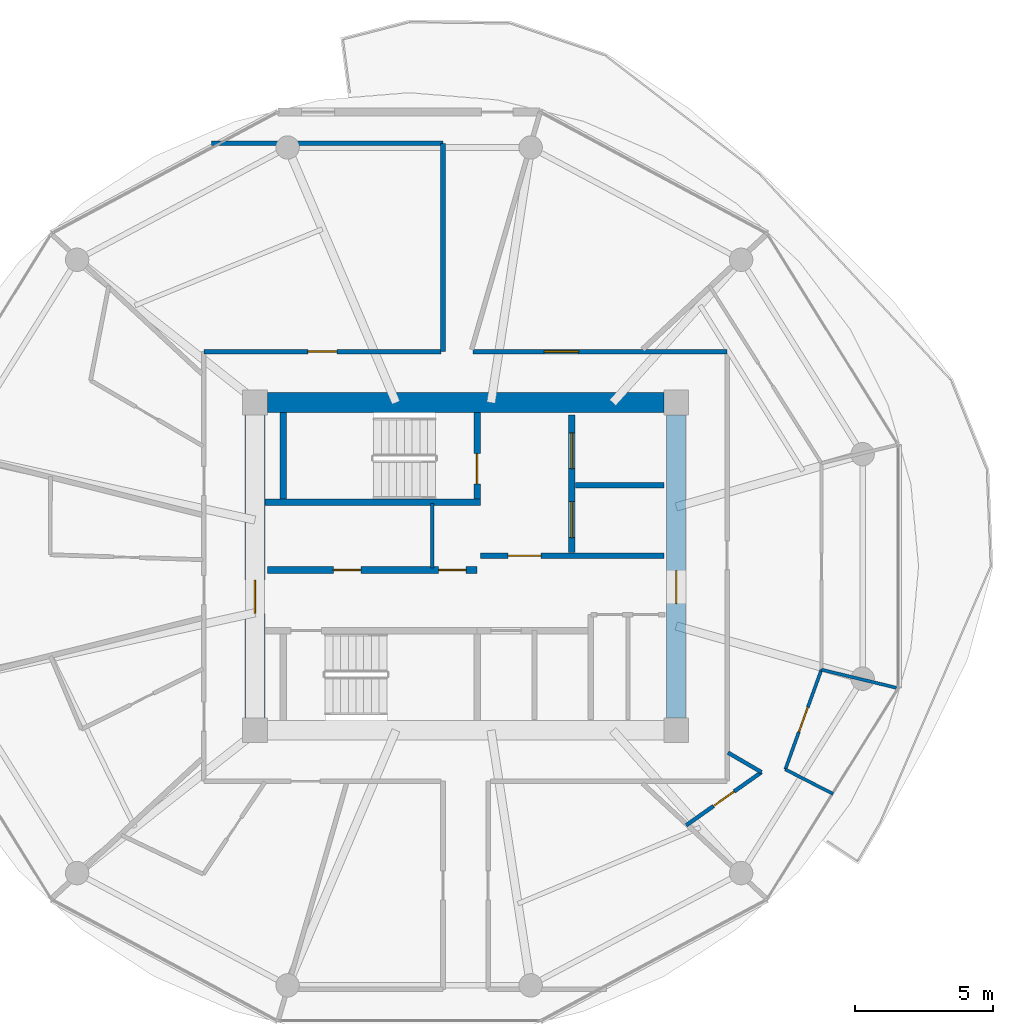
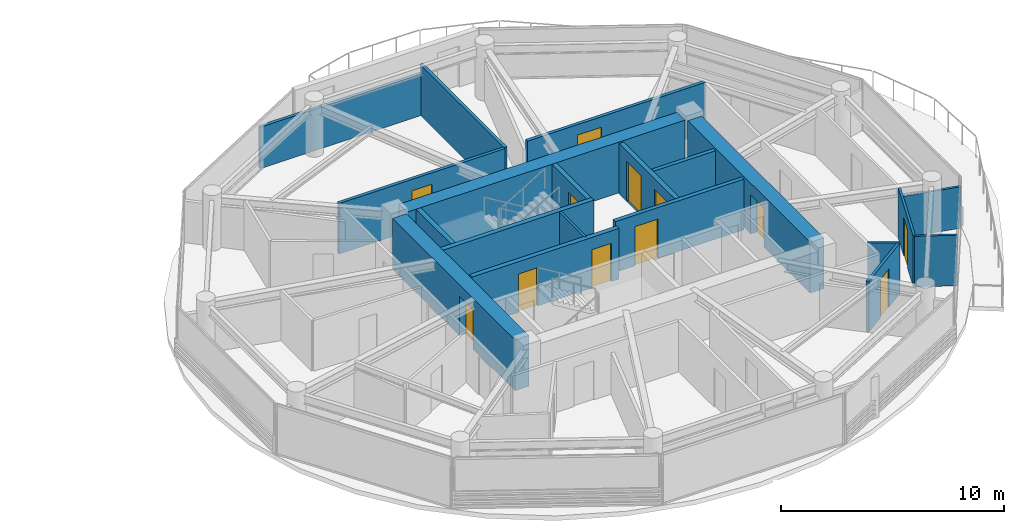
# One storey, part 17 of 24: 20 walls, 12 doors, 12 openings.
"""IFC4 building model written with IfcOpenShell, lengths in metres."""

from ifc_helpers import new_model, si_unit, direction, frame, frame_2d, origin, place, context, subcontext, project, spatial, rectangle, extrude, source, transform, mapped, material, layer, layer_set, type_object, type_shapes, element, fill, save


model = new_model("IFC4")

# Units and contexts
model_context = context("Model", 3, precision=1e-05, world=origin(), true_north=direction((0.0, 1.0)))
body_context = subcontext(model_context, "Body", "Model", "MODEL_VIEW")
ifc_project = project(units=[si_unit("LENGTHUNIT", "METRE"), si_unit("AREAUNIT", "SQUARE_METRE"), si_unit("VOLUMEUNIT", "CUBIC_METRE"), si_unit("PLANEANGLEUNIT", "RADIAN"), si_unit("MASSUNIT", "GRAM", prefix="KILO")], contexts=[model_context])

# Site, building, storey
site_placement = place(None, origin())
site = spatial("IfcSite", under=ifc_project, at=site_placement, CompositionType="ELEMENT")
building_placement = place(site_placement, origin())
building = spatial("IfcBuilding", under=site, at=building_placement, Name="Norrkilde Senior Care Towers", CompositionType="ELEMENT")
storey_placement = place(building_placement, frame((0.0, 0.0, 108.449951171875)))
storey = spatial("IfcBuildingStorey", under=building, at=storey_placement, Name="L33", CompositionType="ELEMENT", Elevation=108.449951171875)

# Wall
ifc_material_1 = material(Name="Concrete C60/75", Category="concrete")
ifc_layer_1 = layer(ifc_material_1, 0.719970703125)
ifc_layer_set_1 = layer_set([ifc_layer_1], Name="Concrete C60/75")
wall_type_1 = type_object("IfcWallType", Name="Core Shear Wall Z2 720", PredefinedType="SHEAR", material=ifc_layer_set_1)
shared_shape_1 = source(origin(), body_context, "Body", "SweptSolid", [
    extrude(rectangle(XDim=14.39990234375, YDim=0.719970703125, at=frame_2d((7.199951171875, 0.0))), origin(), (0.0, 0.0, 1.0), 2.7900390625),
])
wall_1_placement = place(storey_placement, frame((20.800048828125, 5.949951171875, 0.0), z_axis=(0.0, 0.0, 1.0), x_axis=(1.0, 0.0, 0.0)))
element("IfcWall", 1, at=wall_1_placement, inside=storey, type_object=wall_type_1, Name="L33 Core E North Shear Wall", PredefinedType="SHEAR", context=body_context, shape_type="MappedRepresentation", body=[
    mapped(shared_shape_1, transform((0.0, 0.0, 0.0), x_axis=(1.0, 0.0, 0.0), y_axis=(0.0, 1.0, 0.0), z_axis=(0.0, 0.0, 1.0), scale=1.0)),
])

# Wall, opening, door
shared_shape_2 = source(origin(), body_context, "Body", "SweptSolid", [
    extrude(rectangle(XDim=11.0, YDim=0.719970703125, at=frame_2d((5.5, 0.0))), origin(), (0.0, 0.0, 1.0), 2.7900390625),
])
type_shapes(wall_type_1, [shared_shape_1, shared_shape_2])
wall_2_placement = place(storey_placement, frame((20.35009765625, -5.5, 0.0), z_axis=(0.0, 0.0, 1.0), x_axis=(0.0, 1.0, 0.0)))
wall_2 = element("IfcWall", 2, at=wall_2_placement, inside=storey, type_object=wall_type_1, Name="L33 Core E West Shear Wall", PredefinedType="SHEAR", context=body_context, shape_type="MappedRepresentation", body=[
    mapped(shared_shape_2, transform((0.0, 0.0, 0.0), x_axis=(1.0, 0.0, 0.0), y_axis=(0.0, 1.0, 0.0), z_axis=(0.0, 0.0, 1.0), scale=1.0)),
])
opening_1_placement = place(wall_2_placement, frame((3.800048828125, 0.0, 0.0)))
opening_1 = element("IfcOpeningElement", 3, at=opening_1_placement, cuts=wall_2, Name="Opening D-04", PredefinedType="OPENING", context=body_context, shape_type="SweptSolid", body=[
    extrude(rectangle(XDim=1.199951171875, YDim=2.14990234375, at=frame_2d((0.60009765625, 1.074951171875))), frame((0.0, 0.369873046875, 0.0), z_axis=(0.0, -1.0, 0.0), x_axis=(1.0, 0.0, 0.0)), (0.0, 0.0, 1.0), 0.739990234375),
])
ifc_material_2 = material(Name="Galvanised Painted Steel", Category="steel")
door_type_1 = type_object("IfcDoorType", Name="Firefighting Lobby Fire Door 1200x2150", OperationType="NOTDEFINED", PredefinedType="DOOR", material=ifc_material_2)
shared_shape_3 = source(origin(), body_context, "Body", "SweptSolid", [
    extrude(rectangle(XDim=1.199951171875, YDim=2.14990234375, at=frame_2d((0.60009765625, 1.074951171875))), frame((0.0, 0.02490234375, 0.0), z_axis=(0.0, -1.0, 0.0), x_axis=(1.0, 0.0, 0.0)), (0.0, 0.0, 1.0), 0.050048828125),
])
type_shapes(door_type_1, [shared_shape_3])
door_1_placement = place(opening_1_placement, frame((1.199951171875, 0.0, 0.0), z_axis=(0.0, 0.0, 1.0), x_axis=(-1.0, 0.0, 0.0)))
door_1 = element("IfcDoor", 4, at=door_1_placement, inside=storey, type_object=door_type_1, Name="L33 Core E West Portal Door", OperationType="SINGLE_SWING_LEFT", OverallHeight=2.14990234375, OverallWidth=1.199951171875, PredefinedType="DOOR", context=body_context, shape_type="MappedRepresentation", body=[
    mapped(shared_shape_3, transform((0.0, 0.0, 0.0), x_axis=(1.0, 0.0, 0.0), y_axis=(0.0, 1.0, 0.0), z_axis=(0.0, 0.0, 1.0), scale=1.0)),
])
fill(opening_1, door_1)

wall_3_placement = place(storey_placement, frame((35.64990234375, 5.5, 0.0), z_axis=(0.0, 0.0, 1.0), x_axis=(0.0, -1.0, 0.0)))
wall_3 = element("IfcWall", 5, at=wall_3_placement, inside=storey, type_object=wall_type_1, Name="L33 Core E East Shear Wall", PredefinedType="SHEAR", context=body_context, shape_type="MappedRepresentation", body=[
    mapped(shared_shape_2, transform((0.0, 0.0, 0.0), x_axis=(1.0, 0.0, 0.0), y_axis=(0.0, 1.0, 0.0), z_axis=(0.0, 0.0, 1.0), scale=1.0)),
])
opening_2_placement = place(wall_3_placement, frame((5.64990234375, 0.0, 0.0)))
opening_2 = element("IfcOpeningElement", 6, at=opening_2_placement, cuts=wall_3, Name="Opening D-04", PredefinedType="OPENING", context=body_context, shape_type="SweptSolid", body=[
    extrude(rectangle(XDim=1.199951171875, YDim=2.14990234375, at=frame_2d((0.60009765625, 1.074951171875))), frame((0.0, 0.369873046875, 0.0), z_axis=(0.0, -1.0, 0.0), x_axis=(1.0, 0.0, 0.0)), (0.0, 0.0, 1.0), 0.739990234375),
])
door_2_placement = place(opening_2_placement, frame((1.199951171875, 0.0, 0.0), z_axis=(0.0, 0.0, 1.0), x_axis=(-1.0, 0.0, 0.0)))
door_2 = element("IfcDoor", 7, at=door_2_placement, inside=storey, type_object=door_type_1, Name="L33 Core E East Portal Door", OperationType="SINGLE_SWING_RIGHT", OverallHeight=2.14990234375, OverallWidth=1.199951171875, PredefinedType="DOOR", context=body_context, shape_type="MappedRepresentation", body=[
    mapped(shared_shape_3, transform((0.0, 0.0, 0.0), x_axis=(1.0, 0.0, 0.0), y_axis=(0.0, 1.0, 0.0), z_axis=(0.0, 0.0, 1.0), scale=1.0)),
])
fill(opening_2, door_2)

# Wall, openings, doors
ifc_material_3 = material(Name="Concrete C45/55", Category="concrete")
ifc_layer_2 = layer(ifc_material_3, 0.239990234375)
ifc_layer_set_2 = layer_set([ifc_layer_2], Name="Concrete C45/55")
wall_type_2 = type_object("IfcWallType", Name="Lift and Plant Rated Enclosure Partition 240", PredefinedType="PARTITIONING", material=ifc_layer_set_2)
shared_shape_4 = source(origin(), body_context, "Body", "SweptSolid", [
    extrude(rectangle(XDim=5.0, YDim=0.239990234375, at=frame_2d((2.5, 0.0))), origin(), (0.0, 0.0, 1.0), 2.775146484375),
])
wall_4_placement = place(storey_placement, frame((31.860107421875, 0.5, 0.0), z_axis=(0.0, 0.0, 1.0), x_axis=(0.0, 1.0, 0.0)))
wall_4 = element("IfcWall", 8, at=wall_4_placement, inside=storey, type_object=wall_type_2, Name="WL-INT-L33-E-FFLE", PredefinedType="PARTITIONING", context=body_context, shape_type="MappedRepresentation", body=[
    mapped(shared_shape_4, transform((0.0, 0.0, 0.0), x_axis=(1.0, 0.0, 0.0), y_axis=(0.0, 1.0, 0.0), z_axis=(0.0, 0.0, 1.0), scale=1.0)),
])
opening_3_placement = place(wall_4_placement, frame((3.050048828125, 0.0, 0.0)))
opening_3 = element("IfcOpeningElement", 9, at=opening_3_placement, cuts=wall_4, Name="Opening LD-02", PredefinedType="OPENING", context=body_context, shape_type="SweptSolid", body=[
    extrude(rectangle(XDim=1.300048828125, YDim=2.199951171875, at=frame_2d((0.64990234375, 1.10009765625))), frame((0.0, 0.1298828125, 0.0), z_axis=(0.0, -1.0, 0.0), x_axis=(1.0, 0.0, 0.0)), (0.0, 0.0, 1.0), 0.260009765625),
])
opening_4_placement = place(wall_4_placement, frame((0.550048828125, 0.0, 0.0)))
opening_4 = element("IfcOpeningElement", 10, at=opening_4_placement, cuts=wall_4, Name="Opening LD-02", PredefinedType="OPENING", context=body_context, shape_type="SweptSolid", body=[
    extrude(rectangle(XDim=1.300048828125, YDim=2.199951171875, at=frame_2d((0.64990234375, 1.10009765625))), frame((0.0, 0.1298828125, 0.0), z_axis=(0.0, -1.0, 0.0), x_axis=(1.0, 0.0, 0.0)), (0.0, 0.0, 1.0), 0.260009765625),
])
ifc_material_4 = material(Name="Stainless Steel", Category="steel")
door_type_2 = type_object("IfcDoorType", Name="Stretcher and FFL Landing Sliding Door 1300x2200", OperationType="NOTDEFINED", PredefinedType="DOOR", material=ifc_material_4)
shared_shape_5 = source(origin(), body_context, "Body", "SweptSolid", [
    extrude(rectangle(XDim=1.300048828125, YDim=2.199951171875, at=frame_2d((0.64990234375, 1.10009765625))), frame((0.0, 0.02490234375, 0.0), z_axis=(0.0, -1.0, 0.0), x_axis=(1.0, 0.0, 0.0)), (0.0, 0.0, 1.0), 0.050048828125),
])
type_shapes(door_type_2, [shared_shape_5])
door_3_placement = place(opening_3_placement, origin())
door_3 = element("IfcDoor", 11, at=door_3_placement, inside=storey, type_object=door_type_2, Name="L33 Firefighting Lift E1 Landing Door", OperationType="SLIDING_TO_LEFT", OverallHeight=2.199951171875, OverallWidth=1.300048828125, PredefinedType="DOOR", context=body_context, shape_type="MappedRepresentation", body=[
    mapped(shared_shape_5, transform((0.0, 0.0, 0.0), x_axis=(1.0, 0.0, 0.0), y_axis=(0.0, 1.0, 0.0), z_axis=(0.0, 0.0, 1.0), scale=1.0)),
])
fill(opening_3, door_3)
door_4_placement = place(opening_4_placement, origin())
door_4 = element("IfcDoor", 12, at=door_4_placement, inside=storey, type_object=door_type_2, Name="L33 Stretcher Lift E1 Landing Door", OperationType="SLIDING_TO_RIGHT", OverallHeight=2.199951171875, OverallWidth=1.300048828125, PredefinedType="DOOR", context=body_context, shape_type="MappedRepresentation", body=[
    mapped(shared_shape_5, transform((0.0, 0.0, 0.0), x_axis=(1.0, 0.0, 0.0), y_axis=(0.0, 1.0, 0.0), z_axis=(0.0, 0.0, 1.0), scale=1.0)),
])
fill(opening_4, door_4)

# Wall
ifc_layer_3 = layer(ifc_material_3, 0.199951171875)
ifc_layer_set_3 = layer_set([ifc_layer_3], Name="Concrete C45/55")
wall_type_3 = type_object("IfcWallType", Name="Shaft Division and Plant Partition 200", PredefinedType="PARTITIONING", material=ifc_layer_set_3)
shared_shape_6 = source(origin(), body_context, "Body", "SweptSolid", [
    extrude(rectangle(XDim=3.199951171875, YDim=0.199951171875, at=frame_2d((1.60009765625, 0.0))), origin(), (0.0, 0.0, 1.0), 2.775146484375),
])
type_shapes(wall_type_3, [shared_shape_6])
wall_5_placement = place(storey_placement, frame((32.0, 2.949951171875, 0.0), z_axis=(0.0, 0.0, 1.0), x_axis=(1.0, 0.0, 0.0)))
element("IfcWall", 13, at=wall_5_placement, inside=storey, type_object=wall_type_3, Name="WL-INT-L33-E-FFLDIV", PredefinedType="PARTITIONING", context=body_context, shape_type="MappedRepresentation", body=[
    mapped(shared_shape_6, transform((0.0, 0.0, 0.0), x_axis=(1.0, 0.0, 0.0), y_axis=(0.0, 1.0, 0.0), z_axis=(0.0, 0.0, 1.0), scale=1.0)),
])

# Wall, opening, door
ifc_layer_4 = layer(ifc_material_3, 0.2099609375)
ifc_layer_set_4 = layer_set([ifc_layer_4], Name="Concrete C45/55")
wall_type_4 = type_object("IfcWallType", Name="Firefighting Lobby Wall 210", PredefinedType="PARTITIONING", material=ifc_layer_set_4)
shared_shape_7 = source(origin(), body_context, "Body", "SweptSolid", [
    extrude(rectangle(XDim=6.659912109375, YDim=0.2099609375, at=frame_2d((3.330078125, 0.0))), origin(), (0.0, 0.0, 1.0), 2.775146484375),
])
type_shapes(wall_type_4, [shared_shape_7])
wall_6_placement = place(storey_placement, frame((28.5400390625, 0.389892578125, 0.0), z_axis=(0.0, 0.0, 1.0), x_axis=(1.0, 0.0, 0.0)))
wall_6 = element("IfcWall", 14, at=wall_6_placement, inside=storey, type_object=wall_type_4, Name="WL-INT-L33-E-FFLS", PredefinedType="PARTITIONING", context=body_context, shape_type="MappedRepresentation", body=[
    mapped(shared_shape_7, transform((0.0, 0.0, 0.0), x_axis=(1.0, 0.0, 0.0), y_axis=(0.0, 1.0, 0.0), z_axis=(0.0, 0.0, 1.0), scale=1.0)),
])
opening_5_placement = place(wall_6_placement, frame((1.0, 0.0, 0.0)))
opening_5 = element("IfcOpeningElement", 15, at=opening_5_placement, cuts=wall_6, Name="Opening D-04", PredefinedType="OPENING", context=body_context, shape_type="SweptSolid", body=[
    extrude(rectangle(XDim=1.199951171875, YDim=2.14990234375, at=frame_2d((0.60009765625, 1.074951171875))), frame((0.0, 0.114990234375, 0.0), z_axis=(0.0, -1.0, 0.0), x_axis=(1.0, 0.0, 0.0)), (0.0, 0.0, 1.0), 0.22998046875),
])
door_5_placement = place(opening_5_placement, frame((1.199951171875, 0.0, 0.0), z_axis=(0.0, 0.0, 1.0), x_axis=(-1.0, 0.0, 0.0)))
door_5 = element("IfcDoor", 16, at=door_5_placement, inside=storey, type_object=door_type_1, Name="L33 Firefighting Lobby E Door", OperationType="SINGLE_SWING_LEFT", OverallHeight=2.14990234375, OverallWidth=1.199951171875, PredefinedType="DOOR", context=body_context, shape_type="MappedRepresentation", body=[
    mapped(shared_shape_3, transform((0.0, 0.0, 0.0), x_axis=(1.0, 0.0, 0.0), y_axis=(0.0, 1.0, 0.0), z_axis=(0.0, 0.0, 1.0), scale=1.0)),
])
fill(opening_5, door_5)

# Wall, openings, doors
shared_shape_8 = source(origin(), body_context, "Body", "SweptSolid", [
    extrude(rectangle(XDim=7.619873046875, YDim=0.239990234375, at=frame_2d((3.81005859375, 0.0))), origin(), (0.0, 0.0, 1.0), 2.775146484375),
])
type_shapes(wall_type_2, [shared_shape_4, shared_shape_8])
wall_7_placement = place(storey_placement, frame((20.800048828125, -0.1298828125, 0.0), z_axis=(0.0, 0.0, 1.0), x_axis=(1.0, 0.0, 0.0)))
wall_7 = element("IfcWall", 17, at=wall_7_placement, inside=storey, type_object=wall_type_2, Name="WL-INT-L33-E-PKAS", PredefinedType="PARTITIONING", context=body_context, shape_type="MappedRepresentation", body=[
    mapped(shared_shape_8, transform((0.0, 0.0, 0.0), x_axis=(1.0, 0.0, 0.0), y_axis=(0.0, 1.0, 0.0), z_axis=(0.0, 0.0, 1.0), scale=1.0)),
])
opening_6_placement = place(wall_7_placement, frame((6.219970703125, 0.0, 0.0)))
opening_6 = element("IfcOpeningElement", 18, at=opening_6_placement, cuts=wall_7, Name="Opening D-10", PredefinedType="OPENING", context=body_context, shape_type="SweptSolid", body=[
    extrude(rectangle(XDim=1.0, YDim=2.10009765625, at=frame_2d((0.5, 1.050048828125))), frame((0.0, 0.1298828125, 0.0), z_axis=(0.0, -1.0, 0.0), x_axis=(1.0, 0.0, 0.0)), (0.0, 0.0, 1.0), 0.260009765625),
])
opening_7_placement = place(wall_7_placement, frame((2.39990234375, 0.0, 0.0)))
opening_7 = element("IfcOpeningElement", 19, at=opening_7_placement, cuts=wall_7, Name="Opening D-10", PredefinedType="OPENING", context=body_context, shape_type="SweptSolid", body=[
    extrude(rectangle(XDim=1.0, YDim=2.10009765625, at=frame_2d((0.5, 1.050048828125))), frame((0.0, 0.1298828125, 0.0), z_axis=(0.0, -1.0, 0.0), x_axis=(1.0, 0.0, 0.0)), (0.0, 0.0, 1.0), 0.260009765625),
])
door_type_3 = type_object("IfcDoorType", Name="Plant and Riser Rated Door 1000x2100", OperationType="NOTDEFINED", PredefinedType="DOOR", material=ifc_material_2)
shared_shape_9 = source(origin(), body_context, "Body", "SweptSolid", [
    extrude(rectangle(XDim=1.0, YDim=2.10009765625, at=frame_2d((0.5, 1.050048828125))), frame((0.0, 0.02490234375, 0.0), z_axis=(0.0, -1.0, 0.0), x_axis=(1.0, 0.0, 0.0)), (0.0, 0.0, 1.0), 0.050048828125),
])
type_shapes(door_type_3, [shared_shape_9])
door_6_placement = place(opening_6_placement, frame((1.0, 0.0, 0.0), z_axis=(0.0, 0.0, 1.0), x_axis=(-1.0, 0.0, 0.0)))
door_6 = element("IfcDoor", 20, at=door_6_placement, inside=storey, type_object=door_type_3, Name="L33 Electrical Riser E Door", OperationType="SINGLE_SWING_LEFT", OverallHeight=2.10009765625, OverallWidth=1.0, PredefinedType="DOOR", context=body_context, shape_type="MappedRepresentation", body=[
    mapped(shared_shape_9, transform((0.0, 0.0, 0.0), x_axis=(1.0, 0.0, 0.0), y_axis=(0.0, 1.0, 0.0), z_axis=(0.0, 0.0, 1.0), scale=1.0)),
])
fill(opening_6, door_6)
door_7_placement = place(opening_7_placement, frame((1.0, 0.0, 0.0), z_axis=(0.0, 0.0, 1.0), x_axis=(-1.0, 0.0, 0.0)))
door_7 = element("IfcDoor", 21, at=door_7_placement, inside=storey, type_object=door_type_3, Name="L33 Clean Supply Store E Door", OperationType="SINGLE_SWING_LEFT", OverallHeight=2.10009765625, OverallWidth=1.0, PredefinedType="DOOR", context=body_context, shape_type="MappedRepresentation", body=[
    mapped(shared_shape_9, transform((0.0, 0.0, 0.0), x_axis=(1.0, 0.0, 0.0), y_axis=(0.0, 1.0, 0.0), z_axis=(0.0, 0.0, 1.0), scale=1.0)),
])
fill(opening_7, door_7)

# Walls
ifc_material_5 = material(Name="Gypsum Acoustic Board")
ifc_layer_5 = layer(ifc_material_5, 0.114990234375)
ifc_layer_set_5 = layer_set([ifc_layer_5], Name="Gypsum Acoustic Board")
wall_type_5 = type_object("IfcWallType", Name="Internal Room Partition 115", PredefinedType="PARTITIONING", material=ifc_layer_set_5)
shared_shape_10 = source(origin(), body_context, "Body", "SweptSolid", [
    extrude(rectangle(XDim=2.330078125, YDim=0.114990234375, at=frame_2d((1.1650390625, 0.0))), origin(), (0.0, 0.0, 1.0), 2.775146484375),
])
wall_8_placement = place(storey_placement, frame((26.7900390625, -0.050048828125, 0.0), z_axis=(0.0, 0.0, 1.0), x_axis=(0.0, 1.0, 0.0)))
element("IfcWall", 22, at=wall_8_placement, inside=storey, type_object=wall_type_5, Name="WL-INT-L33-E-RISW", PredefinedType="PARTITIONING", context=body_context, shape_type="MappedRepresentation", body=[
    mapped(shared_shape_10, transform((0.0, 0.0, 0.0), x_axis=(1.0, 0.0, 0.0), y_axis=(0.0, 1.0, 0.0), z_axis=(0.0, 0.0, 1.0), scale=1.0)),
])
ifc_layer_6 = layer(ifc_material_3, 0.239990234375)
ifc_layer_set_6 = layer_set([ifc_layer_6], Name="Concrete C45/55")
wall_type_6 = type_object("IfcWallType", Name="Shaft and Stair Enclosure Wall 240", PredefinedType="PARTITIONING", material=ifc_layer_set_6)
shared_shape_11 = source(origin(), body_context, "Body", "SweptSolid", [
    extrude(rectangle(XDim=7.830078125, YDim=0.239990234375, at=frame_2d((3.9150390625, 0.0))), origin(), (0.0, 0.0, 1.0), 2.7900390625),
])
wall_9_placement = place(storey_placement, frame((20.7099609375, 2.330078125, 0.0), z_axis=(0.0, 0.0, 1.0), x_axis=(1.0, 0.0, 0.0)))
element("IfcWall", 23, at=wall_9_placement, inside=storey, type_object=wall_type_6, Name="WL-INT-L33-E-ST1S", PredefinedType="PARTITIONING", context=body_context, shape_type="MappedRepresentation", body=[
    mapped(shared_shape_11, transform((0.0, 0.0, 0.0), x_axis=(1.0, 0.0, 0.0), y_axis=(0.0, 1.0, 0.0), z_axis=(0.0, 0.0, 1.0), scale=1.0)),
])
shared_shape_12 = source(origin(), body_context, "Body", "SweptSolid", [
    extrude(rectangle(XDim=3.14013671875, YDim=0.239990234375, at=frame_2d((1.570068359375, 0.0))), origin(), (0.0, 0.0, 1.0), 2.7900390625),
])
type_shapes(wall_type_6, [shared_shape_11, shared_shape_12])
wall_10_placement = place(storey_placement, frame((21.3798828125, 2.449951171875, 0.0), z_axis=(0.0, 0.0, 1.0), x_axis=(0.0, 1.0, 0.0)))
element("IfcWall", 24, at=wall_10_placement, inside=storey, type_object=wall_type_6, Name="WL-INT-L33-E-ST1W", PredefinedType="PARTITIONING", context=body_context, shape_type="MappedRepresentation", body=[
    mapped(shared_shape_12, transform((0.0, 0.0, 0.0), x_axis=(1.0, 0.0, 0.0), y_axis=(0.0, 1.0, 0.0), z_axis=(0.0, 0.0, 1.0), scale=1.0)),
])

# Wall, opening, door
wall_11_placement = place(storey_placement, frame((28.419921875, 2.449951171875, 0.0), z_axis=(0.0, 0.0, 1.0), x_axis=(0.0, 1.0, 0.0)))
wall_11 = element("IfcWall", 25, at=wall_11_placement, inside=storey, type_object=wall_type_6, Name="WL-INT-L33-E-ST1E", PredefinedType="PARTITIONING", context=body_context, shape_type="MappedRepresentation", body=[
    mapped(shared_shape_12, transform((0.0, 0.0, 0.0), x_axis=(1.0, 0.0, 0.0), y_axis=(0.0, 1.0, 0.0), z_axis=(0.0, 0.0, 1.0), scale=1.0)),
])
opening_8_placement = place(wall_11_placement, frame((0.550048828125, 0.0, 0.0)))
opening_8 = element("IfcOpeningElement", 26, at=opening_8_placement, cuts=wall_11, Name="Opening D-03", PredefinedType="OPENING", context=body_context, shape_type="SweptSolid", body=[
    extrude(rectangle(XDim=1.10009765625, YDim=2.14990234375, at=frame_2d((0.550048828125, 1.074951171875))), frame((0.0, 0.1298828125, 0.0), z_axis=(0.0, -1.0, 0.0), x_axis=(1.0, 0.0, 0.0)), (0.0, 0.0, 1.0), 0.260009765625),
])
door_type_4 = type_object("IfcDoorType", Name="Stairwell Protected Fire Door 1100x2150", OperationType="NOTDEFINED", PredefinedType="DOOR", material=ifc_material_2)
shared_shape_13 = source(origin(), body_context, "Body", "SweptSolid", [
    extrude(rectangle(XDim=1.10009765625, YDim=2.14990234375, at=frame_2d((0.550048828125, 1.074951171875))), frame((0.0, 0.02490234375, 0.0), z_axis=(0.0, -1.0, 0.0), x_axis=(1.0, 0.0, 0.0)), (0.0, 0.0, 1.0), 0.050048828125),
])
type_shapes(door_type_4, [shared_shape_13])
door_8_placement = place(opening_8_placement, origin())
door_8 = element("IfcDoor", 27, at=door_8_placement, inside=storey, type_object=door_type_4, Name="L33 Stair E1 Fire Door", OperationType="SINGLE_SWING_LEFT", OverallHeight=2.14990234375, OverallWidth=1.10009765625, PredefinedType="DOOR", context=body_context, shape_type="MappedRepresentation", body=[
    mapped(shared_shape_13, transform((0.0, 0.0, 0.0), x_axis=(1.0, 0.0, 0.0), y_axis=(0.0, 1.0, 0.0), z_axis=(0.0, 0.0, 1.0), scale=1.0)),
])
fill(opening_8, door_8)

# Walls
shared_shape_14 = source(origin(), body_context, "Body", "SweptSolid", [
    extrude(rectangle(XDim=2.87890625, YDim=0.114990234375, at=frame_2d((1.439453125, 0.0))), origin(), (0.0, 0.0, 1.0), 2.275146484375),
])
wall_12_placement = place(storey_placement, frame((40.9248046875, -3.74951171875, 0.0), z_axis=(0.0, 0.0, 1.0), x_axis=(0.972018140943, -0.234905797454, 0.0)))
element("IfcWall", 28, at=wall_12_placement, inside=storey, type_object=wall_type_5, Name="WL-INT-L33-E-UBR-10-1", PredefinedType="PARTITIONING", context=body_context, shape_type="MappedRepresentation", body=[
    mapped(shared_shape_14, transform((0.0, 0.0, 0.0), x_axis=(1.0, 0.0, 0.0), y_axis=(0.0, 1.0, 0.0), z_axis=(0.0, 0.0, 1.0), scale=1.0)),
])
ifc_layer_7 = layer(ifc_material_5, 0.139892578125)
ifc_layer_set_7 = layer_set([ifc_layer_7], Name="Gypsum Acoustic Board")
wall_type_7 = type_object("IfcWallType", Name="En-suite Wet Room Wall 140", PredefinedType="PARTITIONING", material=ifc_layer_set_7)
shared_shape_15 = source(origin(), body_context, "Body", "SweptSolid", [
    extrude(rectangle(XDim=1.407470703125, YDim=0.139892578125, at=frame_2d((0.70361328125, 0.0))), origin(), (0.0, 0.0, 1.0), 2.775146484375),
])
wall_13_placement = place(storey_placement, frame((37.530029296875, -6.761962890625, 0.0), z_axis=(0.0, 0.0, 1.0), x_axis=(0.863539718977, -0.504280828258, 0.0)))
element("IfcWall", 29, at=wall_13_placement, inside=storey, type_object=wall_type_7, Name="WL-INT-L33-E-UBTS-10", PredefinedType="PARTITIONING", context=body_context, shape_type="MappedRepresentation", body=[
    mapped(shared_shape_15, transform((0.0, 0.0, 0.0), x_axis=(1.0, 0.0, 0.0), y_axis=(0.0, 1.0, 0.0), z_axis=(0.0, 0.0, 1.0), scale=1.0)),
])
shared_shape_16 = source(origin(), body_context, "Body", "SweptSolid", [
    extrude(rectangle(XDim=1.9453125, YDim=0.114990234375, at=frame_2d((0.97265625, 0.0))), origin(), (0.0, 0.0, 1.0), 2.775146484375),
])
wall_14_placement = place(storey_placement, frame((39.611083984375, -7.370361328125, 0.0), z_axis=(0.0, 0.0, 1.0), x_axis=(0.889684148329, -0.456576517368, 0.0)))
element("IfcWall", 30, at=wall_14_placement, inside=storey, type_object=wall_type_5, Name="WL-INT-L33-E-UKTS-10", PredefinedType="PARTITIONING", context=body_context, shape_type="MappedRepresentation", body=[
    mapped(shared_shape_16, transform((0.0, 0.0, 0.0), x_axis=(1.0, 0.0, 0.0), y_axis=(0.0, 1.0, 0.0), z_axis=(0.0, 0.0, 1.0), scale=1.0)),
])

# Wall, opening, door
shared_shape_17 = source(origin(), body_context, "Body", "SweptSolid", [
    extrude(rectangle(XDim=3.8515625, YDim=0.114990234375, at=frame_2d((1.92578125, 0.0))), origin(), (0.0, 0.0, 1.0), 2.775146484375),
])
type_shapes(wall_type_5, [shared_shape_10, shared_shape_14, shared_shape_16, shared_shape_17])
wall_15_placement = place(storey_placement, frame((39.611083984375, -7.370361328125, 0.0), z_axis=(0.0, 0.0, 1.0), x_axis=(0.340653649518, 0.940188859257, 0.0)))
wall_15 = element("IfcWall", 31, at=wall_15_placement, inside=storey, type_object=wall_type_5, Name="WL-INT-L33-E-UKTF-10", PredefinedType="PARTITIONING", context=body_context, shape_type="MappedRepresentation", body=[
    mapped(shared_shape_17, transform((0.0, 0.0, 0.0), x_axis=(1.0, 0.0, 0.0), y_axis=(0.0, 1.0, 0.0), z_axis=(0.0, 0.0, 1.0), scale=1.0)),
])
opening_9_placement = place(wall_15_placement, frame((1.45068359375, 0.0, 0.0)))
opening_9 = element("IfcOpeningElement", 32, at=opening_9_placement, cuts=wall_15, Name="Opening D-07", PredefinedType="OPENING", context=body_context, shape_type="SweptSolid", body=[
    extrude(rectangle(XDim=0.949951171875, YDim=2.10009765625, at=frame_2d((0.47509765625, 1.050048828125))), frame((0.0, 0.0673828125, 0.0), z_axis=(0.0, -1.0, 0.0), x_axis=(1.0, 0.0, 0.0)), (0.0, 0.0, 1.0), 0.135009765625),
])
ifc_material_6 = material(Name="Nordic Ash Timber", Category="wood")
door_type_5 = type_object("IfcDoorType", Name="Internal Suite Bedroom Door 950x2100", OperationType="NOTDEFINED", PredefinedType="DOOR", material=ifc_material_6)
shared_shape_18 = source(origin(), body_context, "Body", "SweptSolid", [
    extrude(rectangle(XDim=0.949951171875, YDim=2.10009765625, at=frame_2d((0.47509765625, 1.050048828125))), frame((0.0, 0.02490234375, 0.0), z_axis=(0.0, -1.0, 0.0), x_axis=(1.0, 0.0, 0.0)), (0.0, 0.0, 1.0), 0.050048828125),
])
type_shapes(door_type_5, [shared_shape_18])
door_9_placement = place(opening_9_placement, frame((0.949951171875, 0.0, 0.0), z_axis=(0.0, 0.0, 1.0), x_axis=(-1.0, 0.0, 0.0)))
door_9 = element("IfcDoor", 33, at=door_9_placement, inside=storey, type_object=door_type_5, Name="Apartment 33E Kitchen Door", OperationType="SINGLE_SWING_LEFT", OverallHeight=2.10009765625, OverallWidth=0.949951171875, PredefinedType="DOOR", context=body_context, shape_type="MappedRepresentation", body=[
    mapped(shared_shape_18, transform((0.0, 0.0, 0.0), x_axis=(1.0, 0.0, 0.0), y_axis=(0.0, 1.0, 0.0), z_axis=(0.0, 0.0, 1.0), scale=1.0)),
])
fill(opening_9, door_9)

ifc_layer_8 = layer(ifc_material_5, 0.1650390625)
ifc_layer_set_8 = layer_set([ifc_layer_8], Name="Gypsum Acoustic Board")
wall_type_8 = type_object("IfcWallType", Name="Corridor Rated Partition 165", PredefinedType="PARTITIONING", material=ifc_layer_set_8)
shared_shape_19 = source(origin(), body_context, "Body", "SweptSolid", [
    extrude(rectangle(XDim=8.60009765625, YDim=0.1650390625, at=frame_2d((4.300048828125, 0.0))), origin(), (0.0, 0.0, 1.0), 2.775146484375),
])
wall_16_placement = place(storey_placement, frame((18.5, 7.800048828125, 0.0), z_axis=(0.0, 0.0, 1.0), x_axis=(1.0, 0.0, 0.0)))
wall_16 = element("IfcWall", 34, at=wall_16_placement, inside=storey, type_object=wall_type_8, Name="WL-INT-L33-E-CRW-N-0", PredefinedType="PARTITIONING", context=body_context, shape_type="MappedRepresentation", body=[
    mapped(shared_shape_19, transform((0.0, 0.0, 0.0), x_axis=(1.0, 0.0, 0.0), y_axis=(0.0, 1.0, 0.0), z_axis=(0.0, 0.0, 1.0), scale=1.0)),
])
opening_10_placement = place(wall_16_placement, frame((3.77490234375, 0.0, 0.0)))
opening_10 = element("IfcOpeningElement", 35, at=opening_10_placement, cuts=wall_16, Name="Opening D-06", PredefinedType="OPENING", context=body_context, shape_type="SweptSolid", body=[
    extrude(rectangle(XDim=1.050048828125, YDim=2.14990234375, at=frame_2d((0.52490234375, 1.074951171875))), frame((0.0, 0.092529296875, 0.0), z_axis=(0.0, -1.0, 0.0), x_axis=(1.0, 0.0, 0.0)), (0.0, 0.0, 1.0), 0.18505859375),
])
door_type_6 = type_object("IfcDoorType", Name="Apartment Entrance Fire Door 1050x2150", OperationType="NOTDEFINED", PredefinedType="DOOR", material=ifc_material_6)
shared_shape_20 = source(origin(), body_context, "Body", "SweptSolid", [
    extrude(rectangle(XDim=1.050048828125, YDim=2.14990234375, at=frame_2d((0.52490234375, 1.074951171875))), frame((0.0, 0.02490234375, 0.0), z_axis=(0.0, -1.0, 0.0), x_axis=(1.0, 0.0, 0.0)), (0.0, 0.0, 1.0), 0.050048828125),
])
type_shapes(door_type_6, [shared_shape_20])
door_10_placement = place(opening_10_placement, frame((1.050048828125, 0.0, 0.0), z_axis=(0.0, 0.0, 1.0), x_axis=(-1.0, 0.0, 0.0)))
door_10 = element("IfcDoor", 36, at=door_10_placement, inside=storey, type_object=door_type_6, Name="L33 Reading Lounge NWL Door", OperationType="SINGLE_SWING_RIGHT", OverallHeight=2.14990234375, OverallWidth=1.050048828125, PredefinedType="DOOR", context=body_context, shape_type="MappedRepresentation", body=[
    mapped(shared_shape_20, transform((0.0, 0.0, 0.0), x_axis=(1.0, 0.0, 0.0), y_axis=(0.0, 1.0, 0.0), z_axis=(0.0, 0.0, 1.0), scale=1.0)),
])
fill(opening_10, door_10)

shared_shape_21 = source(origin(), body_context, "Body", "SweptSolid", [
    extrude(rectangle(XDim=9.234130859375, YDim=0.1650390625, at=frame_2d((4.6171875, 0.0))), origin(), (0.0, 0.0, 1.0), 2.775146484375),
])
wall_17_placement = place(storey_placement, frame((28.265869140625, 7.800048828125, 0.0), z_axis=(0.0, 0.0, 1.0), x_axis=(1.0, 0.0, 0.0)))
wall_17 = element("IfcWall", 37, at=wall_17_placement, inside=storey, type_object=wall_type_8, Name="WL-INT-L33-E-CRW-N-1", PredefinedType="PARTITIONING", context=body_context, shape_type="MappedRepresentation", body=[
    mapped(shared_shape_21, transform((0.0, 0.0, 0.0), x_axis=(1.0, 0.0, 0.0), y_axis=(0.0, 1.0, 0.0), z_axis=(0.0, 0.0, 1.0), scale=1.0)),
])
opening_11_placement = place(wall_17_placement, frame((2.588134765625, 0.0, 0.0)))
opening_11 = element("IfcOpeningElement", 38, at=opening_11_placement, cuts=wall_17, Name="Opening D-05", PredefinedType="OPENING", context=body_context, shape_type="SweptSolid", body=[
    extrude(rectangle(XDim=1.25, YDim=2.199951171875, at=frame_2d((0.625, 1.10009765625))), frame((0.0, 0.092529296875, 0.0), z_axis=(0.0, -1.0, 0.0), x_axis=(1.0, 0.0, 0.0)), (0.0, 0.0, 1.0), 0.18505859375),
])
door_type_7 = type_object("IfcDoorType", Name="Care Bedroom Bariatric Door 1250x2200", OperationType="NOTDEFINED", PredefinedType="DOOR", material=ifc_material_6)
shared_shape_22 = source(origin(), body_context, "Body", "SweptSolid", [
    extrude(rectangle(XDim=1.25, YDim=2.199951171875, at=frame_2d((0.625, 1.10009765625))), frame((0.0, 0.02490234375, 0.0), z_axis=(0.0, -1.0, 0.0), x_axis=(1.0, 0.0, 0.0)), (0.0, 0.0, 1.0), 0.050048828125),
])
type_shapes(door_type_7, [shared_shape_22])
door_11_placement = place(opening_11_placement, frame((1.25, 0.0, 0.0), z_axis=(0.0, 0.0, 1.0), x_axis=(-1.0, 0.0, 0.0)))
door_11 = element("IfcDoor", 39, at=door_11_placement, inside=storey, type_object=door_type_7, Name="L33 Senior Wellness Library Lounge Door", OperationType="SINGLE_SWING_RIGHT", OverallHeight=2.199951171875, OverallWidth=1.25, PredefinedType="DOOR", context=body_context, shape_type="MappedRepresentation", body=[
    mapped(shared_shape_22, transform((0.0, 0.0, 0.0), x_axis=(1.0, 0.0, 0.0), y_axis=(0.0, 1.0, 0.0), z_axis=(0.0, 0.0, 1.0), scale=1.0)),
])
fill(opening_11, door_11)

# Walls
shared_shape_23 = source(origin(), body_context, "Body", "SweptSolid", [
    extrude(rectangle(XDim=7.56005859375, YDim=0.1650390625, at=frame_2d((3.780029296875, 0.0))), origin(), (0.0, 0.0, 1.0), 2.775146484375),
])
wall_18_placement = place(storey_placement, frame((27.179931640625, 7.800048828125, 0.0), z_axis=(0.0, 0.0, 1.0), x_axis=(0.0, 1.0, 0.0)))
element("IfcWall", 40, at=wall_18_placement, inside=storey, type_object=wall_type_8, Name="WL-INT-L33-E-PKW-NWL", PredefinedType="PARTITIONING", context=body_context, shape_type="MappedRepresentation", body=[
    mapped(shared_shape_23, transform((0.0, 0.0, 0.0), x_axis=(1.0, 0.0, 0.0), y_axis=(0.0, 1.0, 0.0), z_axis=(0.0, 0.0, 1.0), scale=1.0)),
])
shared_shape_24 = source(origin(), body_context, "Body", "SweptSolid", [
    extrude(rectangle(XDim=8.406982421875, YDim=0.1650390625, at=frame_2d((4.20361328125, 0.0))), origin(), (0.0, 0.0, 1.0), 2.275146484375),
])
type_shapes(wall_type_8, [shared_shape_19, shared_shape_21, shared_shape_23, shared_shape_24])
wall_19_placement = place(storey_placement, frame((18.77294921875, 15.360107421875, 0.0), z_axis=(0.0, 0.0, 1.0), x_axis=(1.0, 0.0, 0.0)))
element("IfcWall", 41, at=wall_19_placement, inside=storey, type_object=wall_type_8, Name="WL-INT-L33-E-PKH-NWL-0", PredefinedType="PARTITIONING", context=body_context, shape_type="MappedRepresentation", body=[
    mapped(shared_shape_24, transform((0.0, 0.0, 0.0), x_axis=(1.0, 0.0, 0.0), y_axis=(0.0, 1.0, 0.0), z_axis=(0.0, 0.0, 1.0), scale=1.0)),
])

# Wall, opening, door
shared_shape_25 = source(origin(), body_context, "Body", "SweptSolid", [
    extrude(rectangle(XDim=3.346923828125, YDim=0.139892578125, at=frame_2d((1.67333984375, 0.0))), origin(), (0.0, 0.0, 1.0), 2.775146484375),
])
type_shapes(wall_type_7, [shared_shape_15, shared_shape_25])
wall_20_placement = place(storey_placement, frame((38.745361328125, -7.4716796875, 0.0), z_axis=(0.0, 0.0, 1.0), x_axis=(-0.81705680263, -0.576557179537, 0.0)))
wall_20 = element("IfcWall", 42, at=wall_20_placement, inside=storey, type_object=wall_type_7, Name="WL-INT-L33-E-UBTF-10", PredefinedType="PARTITIONING", context=body_context, shape_type="MappedRepresentation", body=[
    mapped(shared_shape_25, transform((0.0, 0.0, 0.0), x_axis=(1.0, 0.0, 0.0), y_axis=(0.0, 1.0, 0.0), z_axis=(0.0, 0.0, 1.0), scale=1.0)),
])
opening_12_placement = place(wall_20_placement, frame((1.213623046875, 0.0, 0.0)))
opening_12 = element("IfcOpeningElement", 43, at=opening_12_placement, cuts=wall_20, Name="Opening D-08", PredefinedType="OPENING", context=body_context, shape_type="SweptSolid", body=[
    extrude(rectangle(XDim=0.919921875, YDim=2.10009765625, at=frame_2d((0.4599609375, 1.050048828125))), frame((0.0, 0.079833984375, 0.0), z_axis=(0.0, -1.0, 0.0), x_axis=(1.0, 0.0, 0.0)), (0.0, 0.0, 1.0), 0.159912109375),
])
door_type_8 = type_object("IfcDoorType", Name="Accessible Wet Room Door 920x2100", OperationType="NOTDEFINED", PredefinedType="DOOR", material=ifc_material_6)
shared_shape_26 = source(origin(), body_context, "Body", "SweptSolid", [
    extrude(rectangle(XDim=0.919921875, YDim=2.10009765625, at=frame_2d((0.4599609375, 1.050048828125))), frame((0.0, 0.02490234375, 0.0), z_axis=(0.0, -1.0, 0.0), x_axis=(1.0, 0.0, 0.0)), (0.0, 0.0, 1.0), 0.050048828125),
])
type_shapes(door_type_8, [shared_shape_26])
door_12_placement = place(opening_12_placement, origin())
door_12 = element("IfcDoor", 44, at=door_12_placement, inside=storey, type_object=door_type_8, Name="Apartment 33E Bathroom Door", OperationType="SINGLE_SWING_RIGHT", OverallHeight=2.10009765625, OverallWidth=0.919921875, PredefinedType="DOOR", context=body_context, shape_type="MappedRepresentation", body=[
    mapped(shared_shape_26, transform((0.0, 0.0, 0.0), x_axis=(1.0, 0.0, 0.0), y_axis=(0.0, 1.0, 0.0), z_axis=(0.0, 0.0, 1.0), scale=1.0)),
])
fill(opening_12, door_12)

save(model, "model.ifc")
